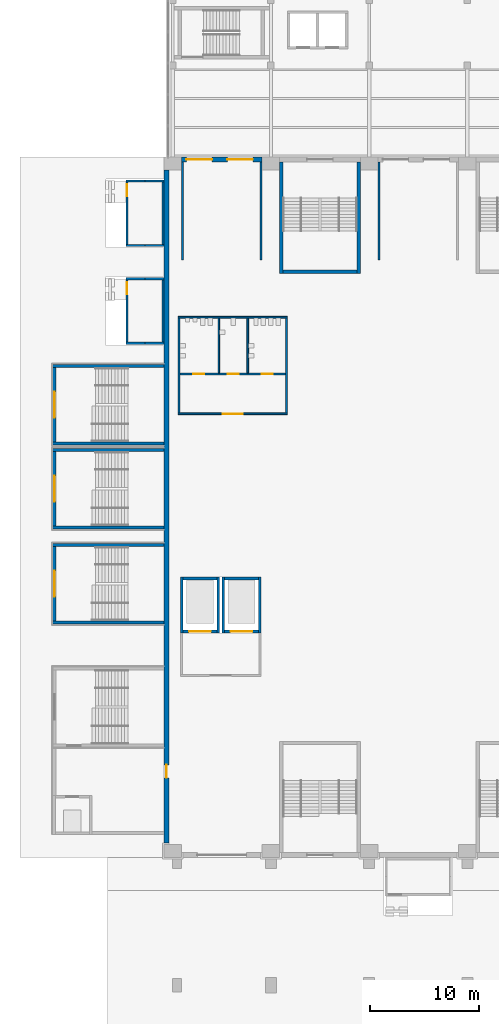
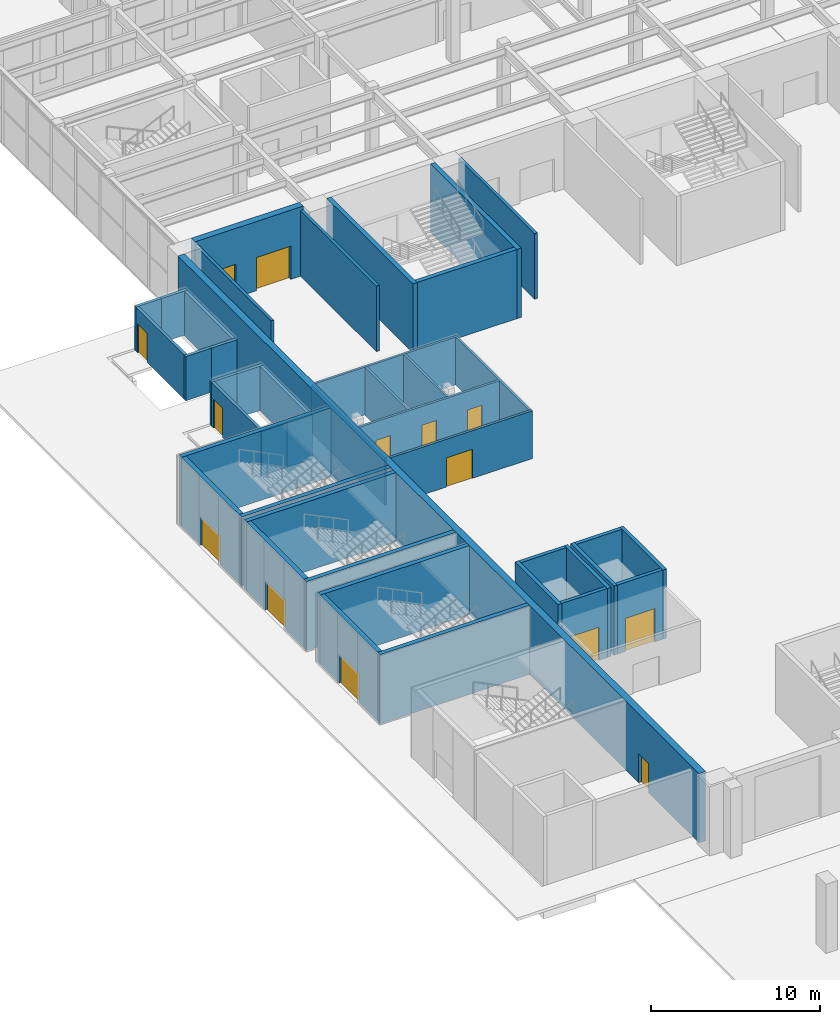
# One storey, part 39 of 77: 44 walls, 14 doors, 14 openings.
"""IFC4 building model written with IfcOpenShell, lengths in metres."""

from ifc_helpers import new_model, si_unit, direction, frame, frame_2d, origin, place, context, subcontext, project, spatial, rectangle, extrude, material, layer, layer_set, type_object, element, fill, save


model = new_model("IFC4")

# Units and contexts
model_context = context("Model", 3, precision=1e-05, world=origin(), true_north=direction((0.0, 1.0)))
body_context = subcontext(model_context, "Body", "Model", "MODEL_VIEW")
ifc_project = project(units=[si_unit("LENGTHUNIT", "METRE"), si_unit("AREAUNIT", "SQUARE_METRE"), si_unit("VOLUMEUNIT", "CUBIC_METRE"), si_unit("PLANEANGLEUNIT", "RADIAN"), si_unit("MASSUNIT", "GRAM", prefix="KILO")], contexts=[model_context])

# Site, building, storey
site_placement = place(None, origin())
site = spatial("IfcSite", under=ifc_project, at=site_placement, CompositionType="ELEMENT")
building_placement = place(site_placement, origin())
building = spatial("IfcBuilding", under=site, at=building_placement, Name="Aravalli Gate Trade Fair Centre", CompositionType="ELEMENT")
storey_placement = place(building_placement, origin())
storey = spatial("IfcBuildingStorey", under=building, at=storey_placement, Name="L00", CompositionType="ELEMENT", Elevation=0.0)

# Walls
ifc_material_1 = material(Name="Concrete M35", Category="concrete")
ifc_layer_1 = layer(ifc_material_1, 0.199951171875)
ifc_layer_set_1 = layer_set([ifc_layer_1], Name="Concrete M35")
wall_type_1 = type_object("IfcWallType", Name="Basement stair enclosure wall 200", PredefinedType="SOLIDWALL", material=ifc_layer_set_1)
for number, where, z_axis, x_axis, name in (
    (1, (5.199951171875, 98.449951171875, 0.0), (0.0, 0.0, 1.0), (-1.0, 0.0, 0.0), "Basement stair W1 enclosure wall L1 L00"),
    (2, (3.449951171875, 98.449951171875, 0.0), (0.0, 0.0, 1.0), (-1.0, 0.0, 0.0), "Basement stair W1 enclosure wall L2 L00"),
    (3, (5.199951171875, 92.550048828125, 0.0), (0.0, 0.0, 1.0), (-1.0, 0.0, 0.0), "Basement stair W1 enclosure wall R1 L00"),
    (4, (3.449951171875, 92.550048828125, 0.0), (0.0, 0.0, 1.0), (-1.0, 0.0, 0.0), "Basement stair W1 enclosure wall R2 L00"),
):
    element("IfcWall", number, at=place(storey_placement, frame(where, z_axis=z_axis, x_axis=x_axis)), inside=storey, type_object=wall_type_1, Name=name, PredefinedType="SOLIDWALL", context=body_context, shape_type="SweptSolid", body=[
        extrude(rectangle(XDim=1.75, YDim=0.199951171875, at=frame_2d((0.875, 0.0))), origin(), (0.0, 0.0, 1.0), 3.199951171875),
    ])

# Wall, opening, door
wall_1_placement = place(storey_placement, frame((1.800048828125, 98.35009765625, 0.0), z_axis=(0.0, 0.0, 1.0), x_axis=(0.0, -1.0, 0.0)))
wall_1 = element("IfcWall", 5, at=wall_1_placement, inside=storey, type_object=wall_type_1, Name="Basement stair W1 enclosure wall O L00", PredefinedType="SOLIDWALL", context=body_context, shape_type="SweptSolid", body=[
    extrude(rectangle(XDim=5.7001953125, YDim=0.199951171875, at=frame_2d((2.85009765625, 0.0))), origin(), (0.0, 0.0, 1.0), 3.199951171875),
])
opening_1_placement = place(wall_1_placement, frame((0.199951171875, 0.0, 0.0)))
opening_1 = element("IfcOpeningElement", 6, at=opening_1_placement, cuts=wall_1, Name="Opening B-L00-01", PredefinedType="OPENING", context=body_context, shape_type="SweptSolid", body=[
    extrude(rectangle(XDim=1.10009765625, YDim=2.10009765625, at=frame_2d((0.550048828125, 1.050048828125))), frame((0.0, 0.10986328125, 0.0), z_axis=(0.0, -1.0, 0.0), x_axis=(1.0, 0.0, 0.0)), (0.0, 0.0, 1.0), 0.219970703125),
])
ifc_material_2 = material(Name="Steel", Category="steel")
door_type_1 = type_object("IfcDoorType", Name="Basement stair door 1100x2100", OperationType="SINGLE_SWING_LEFT", PredefinedType="DOOR", material=ifc_material_2)
door_1_placement = place(opening_1_placement, frame((1.10009765625, 0.0, 0.0), z_axis=(0.0, 0.0, 1.0), x_axis=(-1.0, 0.0, 0.0)))
door_1 = element("IfcDoor", 7, at=door_1_placement, inside=storey, type_object=door_type_1, Name="Basement stair W1 discharge door", OperationType="SINGLE_SWING_LEFT", OverallHeight=2.10009765625, OverallWidth=1.10009765625, PredefinedType="DOOR", context=body_context, shape_type="SweptSolid", body=[
    extrude(rectangle(XDim=1.10009765625, YDim=2.10009765625, at=frame_2d((0.550048828125, 1.050048828125))), frame((0.0, 0.02490234375, 0.0), z_axis=(0.0, -1.0, 0.0), x_axis=(1.0, 0.0, 0.0)), (0.0, 0.0, 1.0), 0.050048828125),
])
fill(opening_1, door_1)

# Walls
wall_2_placement = place(storey_placement, frame((5.10009765625, 98.35009765625, 0.0), z_axis=(0.0, 0.0, 1.0), x_axis=(0.0, -1.0, 0.0)))
element("IfcWall", 8, at=wall_2_placement, inside=storey, type_object=wall_type_1, Name="Basement stair W1 enclosure wall I L00", PredefinedType="SOLIDWALL", context=body_context, shape_type="SweptSolid", body=[
    extrude(rectangle(XDim=5.7001953125, YDim=0.199951171875, at=frame_2d((2.85009765625, 0.0))), origin(), (0.0, 0.0, 1.0), 3.199951171875),
])
for number, where, z_axis, x_axis, name in (
    (9, (5.199951171875, 107.39990234375, 0.0), (0.0, 0.0, 1.0), (-1.0, 0.0, 0.0), "Basement stair W2 enclosure wall L1 L00"),
    (10, (3.449951171875, 107.39990234375, 0.0), (0.0, 0.0, 1.0), (-1.0, 0.0, 0.0), "Basement stair W2 enclosure wall L2 L00"),
    (11, (5.199951171875, 101.5, 0.0), (0.0, 0.0, 1.0), (-1.0, 0.0, 0.0), "Basement stair W2 enclosure wall R1 L00"),
    (12, (3.449951171875, 101.5, 0.0), (0.0, 0.0, 1.0), (-1.0, 0.0, 0.0), "Basement stair W2 enclosure wall R2 L00"),
):
    element("IfcWall", number, at=place(storey_placement, frame(where, z_axis=z_axis, x_axis=x_axis)), inside=storey, type_object=wall_type_1, Name=name, PredefinedType="SOLIDWALL", context=body_context, shape_type="SweptSolid", body=[
        extrude(rectangle(XDim=1.75, YDim=0.199951171875, at=frame_2d((0.875, 0.0))), origin(), (0.0, 0.0, 1.0), 3.199951171875),
    ])

# Wall, opening, door
wall_3_placement = place(storey_placement, frame((1.800048828125, 107.300048828125, 0.0), z_axis=(0.0, 0.0, 1.0), x_axis=(0.0, -1.0, 0.0)))
wall_3 = element("IfcWall", 13, at=wall_3_placement, inside=storey, type_object=wall_type_1, Name="Basement stair W2 enclosure wall O L00", PredefinedType="SOLIDWALL", context=body_context, shape_type="SweptSolid", body=[
    extrude(rectangle(XDim=5.699951171875, YDim=0.199951171875, at=frame_2d((2.85009765625, 0.0))), origin(), (0.0, 0.0, 1.0), 3.199951171875),
])
opening_2_placement = place(wall_3_placement, frame((0.199951171875, 0.0, 0.0)))
opening_2 = element("IfcOpeningElement", 14, at=opening_2_placement, cuts=wall_3, Name="Opening B-L00-02", PredefinedType="OPENING", context=body_context, shape_type="SweptSolid", body=[
    extrude(rectangle(XDim=1.10009765625, YDim=2.10009765625, at=frame_2d((0.550048828125, 1.050048828125))), frame((0.0, 0.10986328125, 0.0), z_axis=(0.0, -1.0, 0.0), x_axis=(1.0, 0.0, 0.0)), (0.0, 0.0, 1.0), 0.219970703125),
])
door_2_placement = place(opening_2_placement, frame((1.10009765625, 0.0, 0.0), z_axis=(0.0, 0.0, 1.0), x_axis=(-1.0, 0.0, 0.0)))
door_2 = element("IfcDoor", 15, at=door_2_placement, inside=storey, type_object=door_type_1, Name="Basement stair W2 discharge door", OperationType="SINGLE_SWING_RIGHT", OverallHeight=2.10009765625, OverallWidth=1.10009765625, PredefinedType="DOOR", context=body_context, shape_type="SweptSolid", body=[
    extrude(rectangle(XDim=1.10009765625, YDim=2.10009765625, at=frame_2d((0.550048828125, 1.050048828125))), frame((0.0, 0.02490234375, 0.0), z_axis=(0.0, -1.0, 0.0), x_axis=(1.0, 0.0, 0.0)), (0.0, 0.0, 1.0), 0.050048828125),
])
fill(opening_2, door_2)

# Walls
wall_4_placement = place(storey_placement, frame((5.10009765625, 107.300048828125, 0.0), z_axis=(0.0, 0.0, 1.0), x_axis=(0.0, -1.0, 0.0)))
element("IfcWall", 16, at=wall_4_placement, inside=storey, type_object=wall_type_1, Name="Basement stair W2 enclosure wall I L00", PredefinedType="SOLIDWALL", context=body_context, shape_type="SweptSolid", body=[
    extrude(rectangle(XDim=5.699951171875, YDim=0.199951171875, at=frame_2d((2.85009765625, 0.0))), origin(), (0.0, 0.0, 1.0), 3.199951171875),
])
ifc_material_3 = material(Name="Concrete M40", Category="concrete")
ifc_layer_2 = layer(ifc_material_3, 0.25)
ifc_layer_set_2 = layer_set([ifc_layer_2], Name="Concrete M40")
wall_type_2 = type_object("IfcWallType", Name="Freight shaft wall RC 250", PredefinedType="SHEAR", material=ifc_layer_set_2)
for number, where, z_axis, x_axis, name in (
    (17, (6.824951171875, 66.0, 0.0), (0.0, 0.0, 1.0), (0.0, 1.0, 0.0), "Freight lift 1 shaft wall W L00"),
    (18, (10.175048828125, 66.0, 0.0), (0.0, 0.0, 1.0), (0.0, 1.0, 0.0), "Freight lift 1 shaft wall E L00"),
):
    element("IfcWall", number, at=place(storey_placement, frame(where, z_axis=z_axis, x_axis=x_axis)), inside=storey, type_object=wall_type_2, Name=name, PredefinedType="SHEAR", context=body_context, shape_type="SweptSolid", body=[
        extrude(rectangle(XDim=5.10009765625, YDim=0.25, at=frame_2d((2.550048828125, 0.0))), origin(), (0.0, 0.0, 1.0), 5.0),
    ])

# Wall, opening, door
wall_5_placement = place(storey_placement, frame((6.949951171875, 66.125, 0.0), z_axis=(0.0, 0.0, 1.0), x_axis=(1.0, 0.0, 0.0)))
wall_5 = element("IfcWall", 19, at=wall_5_placement, inside=storey, type_object=wall_type_2, Name="Freight lift 1 shaft wall F L00", PredefinedType="SHEAR", context=body_context, shape_type="SweptSolid", body=[
    extrude(rectangle(XDim=3.10009765625, YDim=0.25, at=frame_2d((1.550048828125, 0.0))), origin(), (0.0, 0.0, 1.0), 5.0),
])
opening_3_placement = place(wall_5_placement, frame((0.550048828125, 0.0, 0.0)))
opening_3 = element("IfcOpeningElement", 20, at=opening_3_placement, cuts=wall_5, Name="Opening H-L00-36", PredefinedType="OPENING", context=body_context, shape_type="SweptSolid", body=[
    extrude(rectangle(XDim=2.0, YDim=2.39990234375, at=frame_2d((1.0, 1.199951171875))), frame((0.0, 0.135009765625, 0.0), z_axis=(0.0, -1.0, 0.0), x_axis=(1.0, 0.0, 0.0)), (0.0, 0.0, 1.0), 0.27001953125),
])
door_type_2 = type_object("IfcDoorType", Name="Freight lift landing door", OperationType="SLIDING_TO_LEFT", PredefinedType="DOOR", material=ifc_material_2)
door_3_placement = place(opening_3_placement, origin())
door_3 = element("IfcDoor", 21, at=door_3_placement, inside=storey, type_object=door_type_2, Name="Freight lift 1 landing door L00", OperationType="SLIDING_TO_LEFT", OverallHeight=2.39990234375, OverallWidth=2.0, PredefinedType="DOOR", context=body_context, shape_type="SweptSolid", body=[
    extrude(rectangle(XDim=2.0, YDim=2.39990234375, at=frame_2d((1.0, 1.199951171875))), frame((0.0, 0.02490234375, 0.0), z_axis=(0.0, -1.0, 0.0), x_axis=(1.0, 0.0, 0.0)), (0.0, 0.0, 1.0), 0.050048828125),
])
fill(opening_3, door_3)

# Walls
wall_6_placement = place(storey_placement, frame((6.949951171875, 70.97509765625, 0.0), z_axis=(0.0, 0.0, 1.0), x_axis=(1.0, 0.0, 0.0)))
element("IfcWall", 22, at=wall_6_placement, inside=storey, type_object=wall_type_2, Name="Freight lift 1 shaft wall B L00", PredefinedType="SHEAR", context=body_context, shape_type="SweptSolid", body=[
    extrude(rectangle(XDim=3.10009765625, YDim=0.25, at=frame_2d((1.550048828125, 0.0))), origin(), (0.0, 0.0, 1.0), 5.0),
])
for number, where, z_axis, x_axis, name in (
    (23, (10.625, 66.0, 0.0), (0.0, 0.0, 1.0), (0.0, 1.0, 0.0), "Freight lift 2 shaft wall W L00"),
    (24, (13.97509765625, 66.0, 0.0), (0.0, 0.0, 1.0), (0.0, 1.0, 0.0), "Freight lift 2 shaft wall E L00"),
):
    element("IfcWall", number, at=place(storey_placement, frame(where, z_axis=z_axis, x_axis=x_axis)), inside=storey, type_object=wall_type_2, Name=name, PredefinedType="SHEAR", context=body_context, shape_type="SweptSolid", body=[
        extrude(rectangle(XDim=5.10009765625, YDim=0.25, at=frame_2d((2.550048828125, 0.0))), origin(), (0.0, 0.0, 1.0), 5.0),
    ])

# Wall, opening, door
wall_7_placement = place(storey_placement, frame((10.75, 66.125, 0.0), z_axis=(0.0, 0.0, 1.0), x_axis=(1.0, 0.0, 0.0)))
wall_7 = element("IfcWall", 25, at=wall_7_placement, inside=storey, type_object=wall_type_2, Name="Freight lift 2 shaft wall F L00", PredefinedType="SHEAR", context=body_context, shape_type="SweptSolid", body=[
    extrude(rectangle(XDim=3.10009765625, YDim=0.25, at=frame_2d((1.550048828125, 0.0))), origin(), (0.0, 0.0, 1.0), 5.0),
])
opening_4_placement = place(wall_7_placement, frame((0.550048828125, 0.0, 0.0)))
opening_4 = element("IfcOpeningElement", 26, at=opening_4_placement, cuts=wall_7, Name="Opening H-L00-37", PredefinedType="OPENING", context=body_context, shape_type="SweptSolid", body=[
    extrude(rectangle(XDim=2.0, YDim=2.39990234375, at=frame_2d((1.0, 1.199951171875))), frame((0.0, 0.135009765625, 0.0), z_axis=(0.0, -1.0, 0.0), x_axis=(1.0, 0.0, 0.0)), (0.0, 0.0, 1.0), 0.27001953125),
])
door_4_placement = place(opening_4_placement, origin())
door_4 = element("IfcDoor", 27, at=door_4_placement, inside=storey, type_object=door_type_2, Name="Freight lift 2 landing door L00", OperationType="SLIDING_TO_LEFT", OverallHeight=2.39990234375, OverallWidth=2.0, PredefinedType="DOOR", context=body_context, shape_type="SweptSolid", body=[
    extrude(rectangle(XDim=2.0, YDim=2.39990234375, at=frame_2d((1.0, 1.199951171875))), frame((0.0, 0.02490234375, 0.0), z_axis=(0.0, -1.0, 0.0), x_axis=(1.0, 0.0, 0.0)), (0.0, 0.0, 1.0), 0.050048828125),
])
fill(opening_4, door_4)

# Wall
wall_8_placement = place(storey_placement, frame((10.75, 70.97509765625, 0.0), z_axis=(0.0, 0.0, 1.0), x_axis=(1.0, 0.0, 0.0)))
element("IfcWall", 28, at=wall_8_placement, inside=storey, type_object=wall_type_2, Name="Freight lift 2 shaft wall B L00", PredefinedType="SHEAR", context=body_context, shape_type="SweptSolid", body=[
    extrude(rectangle(XDim=3.10009765625, YDim=0.25, at=frame_2d((1.550048828125, 0.0))), origin(), (0.0, 0.0, 1.0), 5.0),
])

# Wall, openings, doors
ifc_layer_3 = layer(ifc_material_3, 0.25, Name="Structural wall")
ifc_material_4 = material(Name="Ventilated air cavity")
ifc_layer_4 = layer(ifc_material_4, 0.10009765625, ventilated=True, Name="Ventilated cavity")
ifc_material_5 = material(Name="Dholpur sandstone", Category="masonry")
ifc_layer_5 = layer(ifc_material_5, 0.10009765625, Name="Stone facing")
ifc_layer_set_3 = layer_set([ifc_layer_3, ifc_layer_4, ifc_layer_5], Name="Hall external wall 450 stone base")
wall_type_3 = type_object("IfcWallType", Name="Hall external wall 450 stone base", PredefinedType="SOLIDWALL", material=ifc_layer_set_3)
wall_9_placement = place(storey_placement, frame((6.800048828125, 109.375, 0.0), z_axis=(0.0, 0.0, 1.0), x_axis=(1.0, 0.0, 0.0)))
wall_9 = element("IfcWall", 29, at=wall_9_placement, inside=storey, type_object=wall_type_3, Name="Hall north wall bay 1 L00", PredefinedType="SOLIDWALL", context=body_context, shape_type="SweptSolid", body=[
    extrude(rectangle(XDim=7.39990234375, YDim=0.449951171875, at=frame_2d((3.699951171875, 0.0))), origin(), (0.0, 0.0, 1.0), 5.0),
])
opening_5_placement = place(wall_9_placement, frame((0.449951171875, 0.0, 0.0)))
opening_5 = element("IfcOpeningElement", 30, at=opening_5_placement, cuts=wall_9, Name="Opening H-L00-02", PredefinedType="OPENING", context=body_context, shape_type="SweptSolid", body=[
    extrude(rectangle(XDim=2.35009765625, YDim=2.39990234375, at=frame_2d((1.175048828125, 1.199951171875))), frame((0.0, 0.23486328125, 0.0), z_axis=(0.0, -1.0, 0.0), x_axis=(1.0, 0.0, 0.0)), (0.0, 0.0, 1.0), 0.469970703125),
])
opening_6_placement = place(wall_9_placement, frame((4.199951171875, 0.0, 0.0)))
opening_6 = element("IfcOpeningElement", 31, at=opening_6_placement, cuts=wall_9, Name="Opening H-L00-03", PredefinedType="OPENING", context=body_context, shape_type="SweptSolid", body=[
    extrude(rectangle(XDim=2.35009765625, YDim=2.39990234375, at=frame_2d((1.175048828125, 1.199951171875))), frame((0.0, 0.23486328125, 0.0), z_axis=(0.0, -1.0, 0.0), x_axis=(1.0, 0.0, 0.0)), (0.0, 0.0, 1.0), 0.469970703125),
])
door_type_3 = type_object("IfcDoorType", Name="Hall entrance double door FD120", OperationType="DOUBLE_DOOR_SINGLE_SWING", PredefinedType="DOOR", material=ifc_material_2)
door_5_placement = place(opening_5_placement, origin())
door_5 = element("IfcDoor", 32, at=door_5_placement, inside=storey, type_object=door_type_3, Name="Hall entrance door bay 1 L00 1", OperationType="DOUBLE_DOOR_SINGLE_SWING", OverallHeight=2.39990234375, OverallWidth=2.35009765625, PredefinedType="DOOR", context=body_context, shape_type="SweptSolid", body=[
    extrude(rectangle(XDim=2.35009765625, YDim=2.39990234375, at=frame_2d((1.175048828125, 1.199951171875))), frame((0.0, 0.02490234375, 0.0), z_axis=(0.0, -1.0, 0.0), x_axis=(1.0, 0.0, 0.0)), (0.0, 0.0, 1.0), 0.050048828125),
])
fill(opening_5, door_5)
door_6_placement = place(opening_6_placement, origin())
door_6 = element("IfcDoor", 33, at=door_6_placement, inside=storey, type_object=door_type_3, Name="Hall entrance door bay 1 L00 2", OperationType="DOUBLE_DOOR_SINGLE_SWING", OverallHeight=2.39990234375, OverallWidth=2.35009765625, PredefinedType="DOOR", context=body_context, shape_type="SweptSolid", body=[
    extrude(rectangle(XDim=2.35009765625, YDim=2.39990234375, at=frame_2d((1.175048828125, 1.199951171875))), frame((0.0, 0.02490234375, 0.0), z_axis=(0.0, -1.0, 0.0), x_axis=(1.0, 0.0, 0.0)), (0.0, 0.0, 1.0), 0.050048828125),
])
fill(opening_6, door_6)

# Wall, opening, door
wall_10_placement = place(storey_placement, frame((5.425048828125, 46.75, 0.0), z_axis=(0.0, 0.0, 1.0), x_axis=(0.0, 1.0, 0.0)))
wall_10 = element("IfcWall", 34, at=wall_10_placement, inside=storey, type_object=wall_type_3, Name="Hall west wall L00", PredefinedType="SOLIDWALL", context=body_context, shape_type="SweptSolid", body=[
    extrude(rectangle(XDim=61.64990234375, YDim=0.449951171875, at=frame_2d((30.824951171875, 0.0))), origin(), (0.0, 0.0, 1.0), 5.0),
])
opening_7_placement = place(wall_10_placement, frame((5.949951171875, 0.0, 0.0)))
opening_7 = element("IfcOpeningElement", 35, at=opening_7_placement, cuts=wall_10, Name="Opening H-L00-39", PredefinedType="OPENING", context=body_context, shape_type="SweptSolid", body=[
    extrude(rectangle(XDim=1.199951171875, YDim=2.10009765625, at=frame_2d((0.60009765625, 1.050048828125))), frame((0.0, 0.23486328125, 0.0), z_axis=(0.0, -1.0, 0.0), x_axis=(1.0, 0.0, 0.0)), (0.0, 0.0, 1.0), 0.469970703125),
])
door_type_4 = type_object("IfcDoorType", Name="Firefighting lobby door FD120", OperationType="SINGLE_SWING_LEFT", PredefinedType="DOOR", material=ifc_material_2)
door_7_placement = place(opening_7_placement, origin())
door_7 = element("IfcDoor", 36, at=door_7_placement, inside=storey, type_object=door_type_4, Name="Firefighting lobby door L00 hall", OperationType="SINGLE_SWING_RIGHT", OverallHeight=2.10009765625, OverallWidth=1.199951171875, PredefinedType="DOOR", context=body_context, shape_type="SweptSolid", body=[
    extrude(rectangle(XDim=1.199951171875, YDim=2.10009765625, at=frame_2d((0.60009765625, 1.050048828125))), frame((0.0, 0.02490234375, 0.0), z_axis=(0.0, -1.0, 0.0), x_axis=(1.0, 0.0, 0.0)), (0.0, 0.0, 1.0), 0.050048828125),
])
fill(opening_7, door_7)

# Walls
ifc_layer_6 = layer(ifc_material_3, 0.199951171875)
ifc_layer_set_4 = layer_set([ifc_layer_6], Name="Concrete M40")
wall_type_4 = type_object("IfcWallType", Name="Meeting room side wall RC 200", PredefinedType="SHEAR", material=ifc_layer_set_4)
for number, where, z_axis, x_axis, name in (
    (37, (6.89990234375, 100.14990234375, 0.0), (0.0, 0.0, 1.0), (0.0, 1.0, 0.0), "Meeting room 1 side wall W L00"),
    (38, (14.10009765625, 100.14990234375, 0.0), (0.0, 0.0, 1.0), (0.0, 1.0, 0.0), "Meeting room 1 side wall E L00"),
    (39, (24.89990234375, 100.14990234375, 0.0), (0.0, 0.0, 1.0), (0.0, 1.0, 0.0), "Meeting room 2 side wall W L00"),
):
    element("IfcWall", number, at=place(storey_placement, frame(where, z_axis=z_axis, x_axis=x_axis)), inside=storey, type_object=wall_type_4, Name=name, PredefinedType="SHEAR", context=body_context, shape_type="SweptSolid", body=[
        extrude(rectangle(XDim=9.0, YDim=0.199951171875, at=frame_2d((4.5, 0.0))), origin(), (0.0, 0.0, 1.0), 4.75),
    ])
ifc_layer_7 = layer(ifc_material_3, 0.300048828125)
ifc_layer_set_5 = layer_set([ifc_layer_7], Name="Concrete M40")
wall_type_5 = type_object("IfcWallType", Name="Stair tower wall RC 300", PredefinedType="SHEAR", material=ifc_layer_set_5)
for number, where, z_axis, x_axis, name in (
    (40, (15.949951171875, 109.14990234375, 0.0), (0.0, 0.0, 1.0), (0.0, -1.0, 0.0), "Stair tower N02 wall W L00"),
    (41, (23.050048828125, 109.14990234375, 0.0), (0.0, 0.0, 1.0), (0.0, -1.0, 0.0), "Stair tower N02 wall E L00"),
):
    element("IfcWall", number, at=place(storey_placement, frame(where, z_axis=z_axis, x_axis=x_axis)), inside=storey, type_object=wall_type_5, Name=name, PredefinedType="SHEAR", context=body_context, shape_type="SweptSolid", body=[
        extrude(rectangle(XDim=10.199951171875, YDim=0.300048828125, at=frame_2d((5.10009765625, 0.0))), origin(), (0.0, 0.0, 1.0), 5.0),
    ])
wall_11_placement = place(storey_placement, frame((16.10009765625, 99.10009765625, 0.0), z_axis=(0.0, 0.0, 1.0), x_axis=(1.0, 0.0, 0.0)))
element("IfcWall", 42, at=wall_11_placement, inside=storey, type_object=wall_type_5, Name="Stair tower N02 wall F L00", PredefinedType="SHEAR", context=body_context, shape_type="SweptSolid", body=[
    extrude(rectangle(XDim=6.7998046875, YDim=0.300048828125, at=frame_2d((3.39990234375, 0.0))), origin(), (0.0, 0.0, 1.0), 5.0),
])
for number, where, z_axis, x_axis, name in (
    (43, (5.199951171875, 75.64990234375, 0.0), (0.0, 0.0, 1.0), (-1.0, 0.0, 0.0), "Stair tower W2 wall W L00"),
    (44, (5.199951171875, 82.75, 0.0), (0.0, 0.0, 1.0), (-1.0, 0.0, 0.0), "Stair tower W2 wall E L00"),
):
    element("IfcWall", number, at=place(storey_placement, frame(where, z_axis=z_axis, x_axis=x_axis)), inside=storey, type_object=wall_type_5, Name=name, PredefinedType="SHEAR", context=body_context, shape_type="SweptSolid", body=[
        extrude(rectangle(XDim=10.199951171875, YDim=0.300048828125, at=frame_2d((5.10009765625, 0.0))), origin(), (0.0, 0.0, 1.0), 5.0),
    ])

# Wall, opening, door
wall_12_placement = place(storey_placement, frame((-4.85009765625, 75.800048828125, 0.0), z_axis=(0.0, 0.0, 1.0), x_axis=(0.0, 1.0, 0.0)))
wall_12 = element("IfcWall", 45, at=wall_12_placement, inside=storey, type_object=wall_type_5, Name="Stair tower W2 wall F L00", PredefinedType="SHEAR", context=body_context, shape_type="SweptSolid", body=[
    extrude(rectangle(XDim=6.800048828125, YDim=0.300048828125, at=frame_2d((3.39990234375, 0.0))), origin(), (0.0, 0.0, 1.0), 5.0),
])
opening_8_placement = place(wall_12_placement, frame((2.22509765625, 0.0, 0.0)))
opening_8 = element("IfcOpeningElement", 46, at=opening_8_placement, cuts=wall_12, Name="Opening H-L00-25", PredefinedType="OPENING", context=body_context, shape_type="SweptSolid", body=[
    extrude(rectangle(XDim=2.35009765625, YDim=2.10009765625, at=frame_2d((1.175048828125, 1.050048828125))), frame((0.0, 0.159912109375, 0.0), z_axis=(0.0, -1.0, 0.0), x_axis=(1.0, 0.0, 0.0)), (0.0, 0.0, 1.0), 0.320068359375),
])
door_type_5 = type_object("IfcDoorType", Name="Stair lobby double door FD120", OperationType="DOUBLE_DOOR_SINGLE_SWING", PredefinedType="DOOR", material=ifc_material_2)
door_8_placement = place(opening_8_placement, origin())
door_8 = element("IfcDoor", 47, at=door_8_placement, inside=storey, type_object=door_type_5, Name="Exit door ST-W2 L00", OperationType="DOUBLE_DOOR_SINGLE_SWING", OverallHeight=2.10009765625, OverallWidth=2.35009765625, PredefinedType="DOOR", context=body_context, shape_type="SweptSolid", body=[
    extrude(rectangle(XDim=2.35009765625, YDim=2.10009765625, at=frame_2d((1.175048828125, 1.050048828125))), frame((0.0, 0.02490234375, 0.0), z_axis=(0.0, -1.0, 0.0), x_axis=(1.0, 0.0, 0.0)), (0.0, 0.0, 1.0), 0.050048828125),
])
fill(opening_8, door_8)

# Walls
for number, where, z_axis, x_axis, name in (
    (48, (5.199951171875, 66.949951171875, 0.0), (0.0, 0.0, 1.0), (-1.0, 0.0, 0.0), "Stair tower W4 wall W L00"),
    (49, (5.199951171875, 74.050048828125, 0.0), (0.0, 0.0, 1.0), (-1.0, 0.0, 0.0), "Stair tower W4 wall E L00"),
):
    element("IfcWall", number, at=place(storey_placement, frame(where, z_axis=z_axis, x_axis=x_axis)), inside=storey, type_object=wall_type_5, Name=name, PredefinedType="SHEAR", context=body_context, shape_type="SweptSolid", body=[
        extrude(rectangle(XDim=10.199951171875, YDim=0.300048828125, at=frame_2d((5.10009765625, 0.0))), origin(), (0.0, 0.0, 1.0), 5.0),
    ])

# Wall, opening, door
wall_13_placement = place(storey_placement, frame((-4.85009765625, 67.10009765625, 0.0), z_axis=(0.0, 0.0, 1.0), x_axis=(0.0, 1.0, 0.0)))
wall_13 = element("IfcWall", 50, at=wall_13_placement, inside=storey, type_object=wall_type_5, Name="Stair tower W4 wall F L00", PredefinedType="SHEAR", context=body_context, shape_type="SweptSolid", body=[
    extrude(rectangle(XDim=6.7998046875, YDim=0.300048828125, at=frame_2d((3.39990234375, 0.0))), origin(), (0.0, 0.0, 1.0), 5.0),
])
opening_9_placement = place(wall_13_placement, frame((2.22509765625, 0.0, 0.0)))
opening_9 = element("IfcOpeningElement", 51, at=opening_9_placement, cuts=wall_13, Name="Opening H-L00-26", PredefinedType="OPENING", context=body_context, shape_type="SweptSolid", body=[
    extrude(rectangle(XDim=2.35009765625, YDim=2.10009765625, at=frame_2d((1.175048828125, 1.050048828125))), frame((0.0, 0.159912109375, 0.0), z_axis=(0.0, -1.0, 0.0), x_axis=(1.0, 0.0, 0.0)), (0.0, 0.0, 1.0), 0.320068359375),
])
door_9_placement = place(opening_9_placement, origin())
door_9 = element("IfcDoor", 52, at=door_9_placement, inside=storey, type_object=door_type_5, Name="Exit door ST-W4 L00", OperationType="DOUBLE_DOOR_SINGLE_SWING", OverallHeight=2.10009765625, OverallWidth=2.35009765625, PredefinedType="DOOR", context=body_context, shape_type="SweptSolid", body=[
    extrude(rectangle(XDim=2.35009765625, YDim=2.10009765625, at=frame_2d((1.175048828125, 1.050048828125))), frame((0.0, 0.02490234375, 0.0), z_axis=(0.0, -1.0, 0.0), x_axis=(1.0, 0.0, 0.0)), (0.0, 0.0, 1.0), 0.050048828125),
])
fill(opening_9, door_9)

# Walls
for number, where, z_axis, x_axis, name in (
    (53, (5.199951171875, 83.35009765625, 0.0), (0.0, 0.0, 1.0), (-1.0, 0.0, 0.0), "Stair tower W5 wall W L00"),
    (54, (5.199951171875, 90.449951171875, 0.0), (0.0, 0.0, 1.0), (-1.0, 0.0, 0.0), "Stair tower W5 wall E L00"),
):
    element("IfcWall", number, at=place(storey_placement, frame(where, z_axis=z_axis, x_axis=x_axis)), inside=storey, type_object=wall_type_5, Name=name, PredefinedType="SHEAR", context=body_context, shape_type="SweptSolid", body=[
        extrude(rectangle(XDim=10.199951171875, YDim=0.300048828125, at=frame_2d((5.10009765625, 0.0))), origin(), (0.0, 0.0, 1.0), 5.0),
    ])

# Wall, opening, door
wall_14_placement = place(storey_placement, frame((-4.85009765625, 83.5, 0.0), z_axis=(0.0, 0.0, 1.0), x_axis=(0.0, 1.0, 0.0)))
wall_14 = element("IfcWall", 55, at=wall_14_placement, inside=storey, type_object=wall_type_5, Name="Stair tower W5 wall F L00", PredefinedType="SHEAR", context=body_context, shape_type="SweptSolid", body=[
    extrude(rectangle(XDim=6.800048828125, YDim=0.300048828125, at=frame_2d((3.39990234375, 0.0))), origin(), (0.0, 0.0, 1.0), 5.0),
])
opening_10_placement = place(wall_14_placement, frame((2.22509765625, 0.0, 0.0)))
opening_10 = element("IfcOpeningElement", 56, at=opening_10_placement, cuts=wall_14, Name="Opening H-L00-27", PredefinedType="OPENING", context=body_context, shape_type="SweptSolid", body=[
    extrude(rectangle(XDim=2.35009765625, YDim=2.10009765625, at=frame_2d((1.175048828125, 1.050048828125))), frame((0.0, 0.159912109375, 0.0), z_axis=(0.0, -1.0, 0.0), x_axis=(1.0, 0.0, 0.0)), (0.0, 0.0, 1.0), 0.320068359375),
])
door_10_placement = place(opening_10_placement, origin())
door_10 = element("IfcDoor", 57, at=door_10_placement, inside=storey, type_object=door_type_5, Name="Exit door ST-W5 L00", OperationType="DOUBLE_DOOR_SINGLE_SWING", OverallHeight=2.10009765625, OverallWidth=2.35009765625, PredefinedType="DOOR", context=body_context, shape_type="SweptSolid", body=[
    extrude(rectangle(XDim=2.35009765625, YDim=2.10009765625, at=frame_2d((1.175048828125, 1.050048828125))), frame((0.0, 0.02490234375, 0.0), z_axis=(0.0, -1.0, 0.0), x_axis=(1.0, 0.0, 0.0)), (0.0, 0.0, 1.0), 0.050048828125),
])
fill(opening_10, door_10)

ifc_layer_8 = layer(ifc_material_3, 0.14990234375)
ifc_layer_set_6 = layer_set([ifc_layer_8], Name="Concrete M40")
wall_type_6 = type_object("IfcWallType", Name="WC block wall RC 150", PredefinedType="SOLIDWALL", material=ifc_layer_set_6)
wall_15_placement = place(storey_placement, frame((6.5, 86.074951171875, 0.0), z_axis=(0.0, 0.0, 1.0), x_axis=(1.0, 0.0, 0.0)))
wall_15 = element("IfcWall", 58, at=wall_15_placement, inside=storey, type_object=wall_type_6, Name="WC block W L00 wall s", PredefinedType="SOLIDWALL", context=body_context, shape_type="SweptSolid", body=[
    extrude(rectangle(XDim=10.0, YDim=0.14990234375, at=frame_2d((5.0, 0.0))), origin(), (0.0, 0.0, 1.0), 3.449951171875),
])
opening_11_placement = place(wall_15_placement, frame((4.10009765625, 0.0, 0.0)))
opening_11 = element("IfcOpeningElement", 59, at=opening_11_placement, cuts=wall_15, Name="Opening H-L00-28", PredefinedType="OPENING", context=body_context, shape_type="SweptSolid", body=[
    extrude(rectangle(XDim=1.800048828125, YDim=2.10009765625, at=frame_2d((0.89990234375, 1.050048828125))), frame((0.0, 0.0849609375, 0.0), z_axis=(0.0, -1.0, 0.0), x_axis=(1.0, 0.0, 0.0)), (0.0, 0.0, 1.0), 0.169921875),
])
ifc_material_6 = material(Name="Timber", Category="wood")
door_type_6 = type_object("IfcDoorType", Name="WC entrance double door 1800", OperationType="DOUBLE_DOOR_SINGLE_SWING", PredefinedType="DOOR", material=ifc_material_6)
door_11_placement = place(opening_11_placement, origin())
door_11 = element("IfcDoor", 60, at=door_11_placement, inside=storey, type_object=door_type_6, Name="WC entrance door W L00", OperationType="DOUBLE_DOOR_SINGLE_SWING", OverallHeight=2.10009765625, OverallWidth=1.800048828125, PredefinedType="DOOR", context=body_context, shape_type="SweptSolid", body=[
    extrude(rectangle(XDim=1.800048828125, YDim=2.10009765625, at=frame_2d((0.89990234375, 1.050048828125))), frame((0.0, 0.02490234375, 0.0), z_axis=(0.0, -1.0, 0.0), x_axis=(1.0, 0.0, 0.0)), (0.0, 0.0, 1.0), 0.050048828125),
])
fill(opening_11, door_11)

# Walls
wall_16_placement = place(storey_placement, frame((6.5, 94.925048828125, 0.0), z_axis=(0.0, 0.0, 1.0), x_axis=(1.0, 0.0, 0.0)))
element("IfcWall", 61, at=wall_16_placement, inside=storey, type_object=wall_type_6, Name="WC block W L00 wall n", PredefinedType="SOLIDWALL", context=body_context, shape_type="SweptSolid", body=[
    extrude(rectangle(XDim=10.0, YDim=0.14990234375, at=frame_2d((5.0, 0.0))), origin(), (0.0, 0.0, 1.0), 3.449951171875),
])
for number, where, z_axis, x_axis, name in (
    (62, (6.574951171875, 86.14990234375, 0.0), (0.0, 0.0, 1.0), (0.0, 1.0, 0.0), "WC block W L00 wall w"),
    (63, (16.425048828125, 86.14990234375, 0.0), (0.0, 0.0, 1.0), (0.0, 1.0, 0.0), "WC block W L00 wall e"),
):
    element("IfcWall", number, at=place(storey_placement, frame(where, z_axis=z_axis, x_axis=x_axis)), inside=storey, type_object=wall_type_6, Name=name, PredefinedType="SOLIDWALL", context=body_context, shape_type="SweptSolid", body=[
        extrude(rectangle(XDim=8.7001953125, YDim=0.14990234375, at=frame_2d((4.35009765625, 0.0))), origin(), (0.0, 0.0, 1.0), 3.449951171875),
    ])

# Wall, openings, doors
wall_17_placement = place(storey_placement, frame((6.64990234375, 89.72509765625, 0.0), z_axis=(0.0, 0.0, 1.0), x_axis=(1.0, 0.0, 0.0)))
wall_17 = element("IfcWall", 64, at=wall_17_placement, inside=storey, type_object=wall_type_6, Name="WC block W L00 wall l", PredefinedType="SOLIDWALL", context=body_context, shape_type="SweptSolid", body=[
    extrude(rectangle(XDim=9.7001953125, YDim=0.14990234375, at=frame_2d((4.85009765625, 0.0))), origin(), (0.0, 0.0, 1.0), 3.449951171875),
])
opening_12_placement = place(wall_17_placement, frame((1.25, 0.0, 0.0)))
opening_12 = element("IfcOpeningElement", 65, at=opening_12_placement, cuts=wall_17, Name="Opening H-L00-29", PredefinedType="OPENING", context=body_context, shape_type="SweptSolid", body=[
    extrude(rectangle(XDim=1.0, YDim=2.10009765625, at=frame_2d((0.5, 1.050048828125))), frame((0.0, 0.0849609375, 0.0), z_axis=(0.0, -1.0, 0.0), x_axis=(1.0, 0.0, 0.0)), (0.0, 0.0, 1.0), 0.169921875),
])
opening_13_placement = place(wall_17_placement, frame((4.39990234375, 0.0, 0.0)))
opening_13 = element("IfcOpeningElement", 66, at=opening_13_placement, cuts=wall_17, Name="Opening H-L00-30", PredefinedType="OPENING", context=body_context, shape_type="SweptSolid", body=[
    extrude(rectangle(XDim=1.0, YDim=2.10009765625, at=frame_2d((0.5, 1.050048828125))), frame((0.0, 0.0849609375, 0.0), z_axis=(0.0, -1.0, 0.0), x_axis=(1.0, 0.0, 0.0)), (0.0, 0.0, 1.0), 0.169921875),
])
opening_14_placement = place(wall_17_placement, frame((7.5, 0.0, 0.0)))
opening_14 = element("IfcOpeningElement", 67, at=opening_14_placement, cuts=wall_17, Name="Opening H-L00-31", PredefinedType="OPENING", context=body_context, shape_type="SweptSolid", body=[
    extrude(rectangle(XDim=1.0, YDim=2.10009765625, at=frame_2d((0.5, 1.050048828125))), frame((0.0, 0.0849609375, 0.0), z_axis=(0.0, -1.0, 0.0), x_axis=(1.0, 0.0, 0.0)), (0.0, 0.0, 1.0), 0.169921875),
])
door_type_7 = type_object("IfcDoorType", Name="WC door 1000", OperationType="SINGLE_SWING_LEFT", PredefinedType="DOOR", material=ifc_material_6)
door_12_placement = place(opening_12_placement, origin())
door_12 = element("IfcDoor", 68, at=door_12_placement, inside=storey, type_object=door_type_7, Name="Men WC door W L00", OperationType="SINGLE_SWING_LEFT", OverallHeight=2.10009765625, OverallWidth=1.0, PredefinedType="DOOR", context=body_context, shape_type="SweptSolid", body=[
    extrude(rectangle(XDim=1.0, YDim=2.10009765625, at=frame_2d((0.5, 1.050048828125))), frame((0.0, 0.02490234375, 0.0), z_axis=(0.0, -1.0, 0.0), x_axis=(1.0, 0.0, 0.0)), (0.0, 0.0, 1.0), 0.050048828125),
])
fill(opening_12, door_12)
door_13_placement = place(opening_13_placement, origin())
door_13 = element("IfcDoor", 69, at=door_13_placement, inside=storey, type_object=door_type_7, Name="Accessible WC door W L00", OperationType="SINGLE_SWING_LEFT", OverallHeight=2.10009765625, OverallWidth=1.0, PredefinedType="DOOR", context=body_context, shape_type="SweptSolid", body=[
    extrude(rectangle(XDim=1.0, YDim=2.10009765625, at=frame_2d((0.5, 1.050048828125))), frame((0.0, 0.02490234375, 0.0), z_axis=(0.0, -1.0, 0.0), x_axis=(1.0, 0.0, 0.0)), (0.0, 0.0, 1.0), 0.050048828125),
])
fill(opening_13, door_13)
door_14_placement = place(opening_14_placement, origin())
door_14 = element("IfcDoor", 70, at=door_14_placement, inside=storey, type_object=door_type_7, Name="Women WC door W L00", OperationType="SINGLE_SWING_RIGHT", OverallHeight=2.10009765625, OverallWidth=1.0, PredefinedType="DOOR", context=body_context, shape_type="SweptSolid", body=[
    extrude(rectangle(XDim=1.0, YDim=2.10009765625, at=frame_2d((0.5, 1.050048828125))), frame((0.0, 0.02490234375, 0.0), z_axis=(0.0, -1.0, 0.0), x_axis=(1.0, 0.0, 0.0)), (0.0, 0.0, 1.0), 0.050048828125),
])
fill(opening_14, door_14)

# Walls
for number, where, z_axis, x_axis, name in (
    (71, (10.22509765625, 89.800048828125, 0.0), (0.0, 0.0, 1.0), (0.0, 1.0, 0.0), "WC block W L00 wall p1"),
    (72, (12.875, 89.800048828125, 0.0), (0.0, 0.0, 1.0), (0.0, 1.0, 0.0), "WC block W L00 wall p2"),
):
    element("IfcWall", number, at=place(storey_placement, frame(where, z_axis=z_axis, x_axis=x_axis)), inside=storey, type_object=wall_type_6, Name=name, PredefinedType="SOLIDWALL", context=body_context, shape_type="SweptSolid", body=[
        extrude(rectangle(XDim=5.050048828125, YDim=0.14990234375, at=frame_2d((2.52490234375, 0.0))), origin(), (0.0, 0.0, 1.0), 3.449951171875),
    ])

save(model, "model.ifc")
